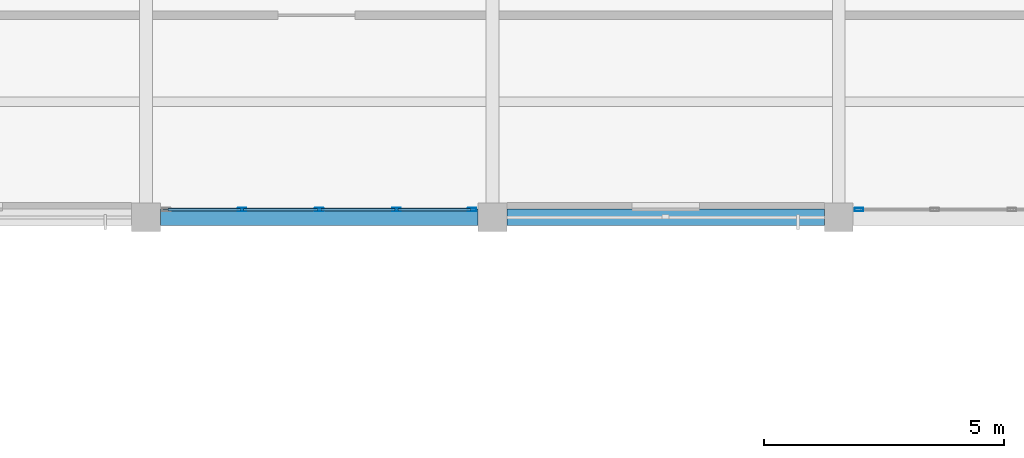
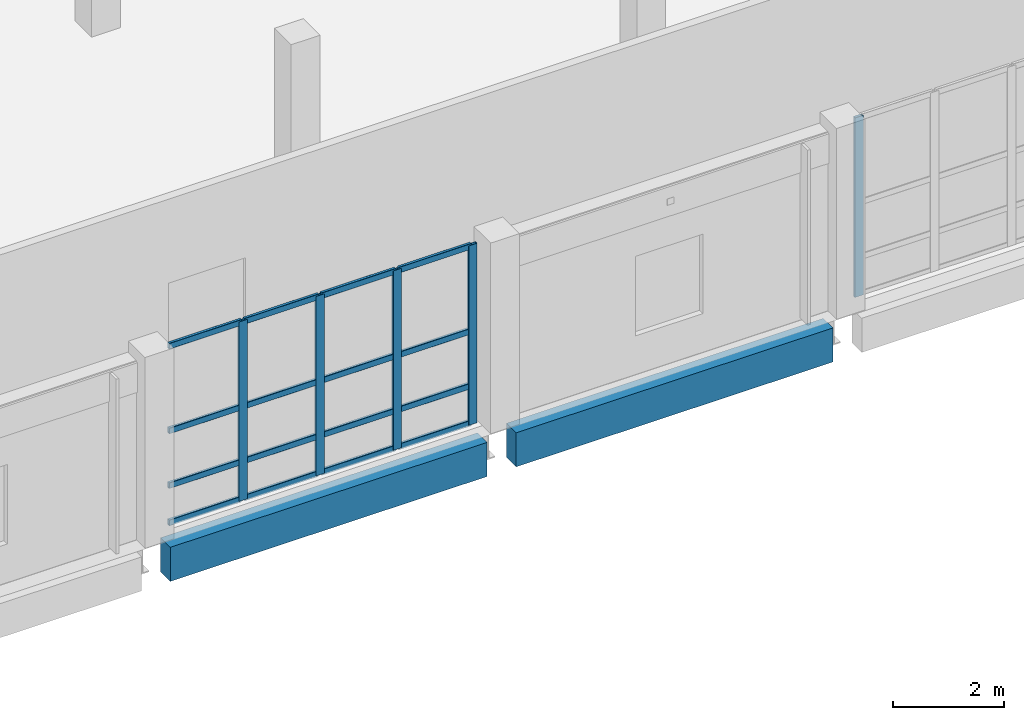
# One storey, part 48 of 94: 21 members, 2 beams, 2 elements without a shape of their own.
"""IFC4 building model written with IfcOpenShell, lengths in metres."""

from ifc_helpers import new_model, si_unit, direction, frame, origin, origin_2d, place, context, subcontext, project, spatial, rectangle, hollow_rectangle, extrude, material, material_profile, profile_set, type_object, element, aggregate, save


model = new_model("IFC4")

# Units and contexts
model_context = context("Model", 3, precision=1e-05, world=origin(), true_north=direction((0.0, 1.0)))
body_context = subcontext(model_context, "Body", "Model", "MODEL_VIEW")
ifc_project = project(units=[si_unit("LENGTHUNIT", "METRE"), si_unit("AREAUNIT", "SQUARE_METRE"), si_unit("VOLUMEUNIT", "CUBIC_METRE"), si_unit("PLANEANGLEUNIT", "RADIAN"), si_unit("MASSUNIT", "GRAM", prefix="KILO")], contexts=[model_context])

# Site, building, storey
site_placement = place(None, origin())
site = spatial("IfcSite", under=ifc_project, at=site_placement, CompositionType="ELEMENT")
building_placement = place(site_placement, origin())
building = spatial("IfcBuilding", under=site, at=building_placement, Name="Kalmorath City Hall", CompositionType="ELEMENT")
storey_placement = place(building_placement, frame((0.0, 0.0, 14.699951171875)))
storey = spatial("IfcBuildingStorey", under=building, at=storey_placement, Name="L03", CompositionType="ELEMENT", Elevation=14.699951171875)

# Curtain wall, member
ifc_material_1 = material(Name="Anodised aluminium and laminated glass", Category="aluminium")
curtain_wall_type = type_object("IfcCurtainWallType", Name="Unitised hurricane curtain wall 6420x3950 M1750", PredefinedType="NOTDEFINED", material=ifc_material_1)
curtain_wall_1_placement = place(storey_placement, origin())
curtain_wall_1 = element("IfcCurtainWall", 1, at=curtain_wall_1_placement, inside=storey, type_object=curtain_wall_type, Name="L03 curtain wall CW-64X40M18 #145", PredefinedType="NOTDEFINED")
ifc_material_2 = material(Name="Anodised aluminium framing", Category="aluminium")
ifc_material_profile_1 = material_profile(ifc_material_2, hollow_rectangle(XDim=0.06494140625, YDim=0.179931640625, WallThickness=0.00390625, InnerFilletRadius=0.00390625, OuterFilletRadius=0.008056640625, at=origin_2d()), Name="ALU-MUL-180X65X4")
ifc_profile_set_1 = profile_set([ifc_material_profile_1], Name="Anodised aluminium framing")
member_type_1 = type_object("IfcMemberType", Name="Curtain-wall courtyard mullion 180x65", PredefinedType="MULLION", material=ifc_profile_set_1)
member_1_placement = place(storey_placement, frame((108.422607421875, 93.760009765625, 0.0), z_axis=(0.0, 0.0, 1.0), x_axis=(0.0, -1.0, 0.0)))
member_1 = element("IfcMember", 2, at=member_1_placement, type_object=member_type_1, Name="CW-64X40M18 mullion 5", PredefinedType="MULLION", context=body_context, shape_type="SweptSolid", body=[
    extrude(hollow_rectangle(XDim=0.06494140625, YDim=0.179931640625, WallThickness=0.00390625, InnerFilletRadius=0.00390625, OuterFilletRadius=0.008056640625, at=origin_2d()), origin(), (0.0, 0.0, 1.0), 3.949951171875),
])
aggregate(curtain_wall_1, [member_1])

# Curtain wall, members
curtain_wall_2_placement = place(storey_placement, origin())
curtain_wall_2 = element("IfcCurtainWall", 3, at=curtain_wall_2_placement, inside=storey, type_object=curtain_wall_type, Name="L03 curtain wall CW-64X40M18 #146", PredefinedType="NOTDEFINED")
member_2_placement = place(storey_placement, frame((100.37744140625, 93.760009765625, 0.0), z_axis=(0.0, 0.0, 1.0), x_axis=(0.0, -1.0, 0.0)))
member_2 = element("IfcMember", 4, at=member_2_placement, type_object=member_type_1, Name="CW-64X40M18 mullion 1", PredefinedType="MULLION", context=body_context, shape_type="SweptSolid", body=[
    extrude(hollow_rectangle(XDim=0.06494140625, YDim=0.179931640625, WallThickness=0.00390625, InnerFilletRadius=0.00390625, OuterFilletRadius=0.008056640625, at=origin_2d()), origin(), (0.0, 0.0, 1.0), 3.949951171875),
])
member_3_placement = place(storey_placement, frame((98.804931640625, 93.760009765625, 0.0), z_axis=(0.0, 0.0, 1.0), x_axis=(0.0, -1.0, 0.0)))
member_3 = element("IfcMember", 5, at=member_3_placement, type_object=member_type_1, Name="CW-64X40M18 mullion 2", PredefinedType="MULLION", context=body_context, shape_type="SweptSolid", body=[
    extrude(hollow_rectangle(XDim=0.06494140625, YDim=0.179931640625, WallThickness=0.00390625, InnerFilletRadius=0.00390625, OuterFilletRadius=0.008056640625, at=origin_2d()), origin(), (0.0, 0.0, 1.0), 3.949951171875),
])
member_4_placement = place(storey_placement, frame((97.199951171875, 93.760009765625, 0.0), z_axis=(0.0, 0.0, 1.0), x_axis=(0.0, -1.0, 0.0)))
member_4 = element("IfcMember", 6, at=member_4_placement, type_object=member_type_1, Name="CW-64X40M18 mullion 3", PredefinedType="MULLION", context=body_context, shape_type="SweptSolid", body=[
    extrude(hollow_rectangle(XDim=0.06494140625, YDim=0.179931640625, WallThickness=0.00390625, InnerFilletRadius=0.00390625, OuterFilletRadius=0.008056640625, at=origin_2d()), origin(), (0.0, 0.0, 1.0), 3.949951171875),
])
member_5_placement = place(storey_placement, frame((95.594970703125, 93.760009765625, 0.0), z_axis=(0.0, 0.0, 1.0), x_axis=(0.0, -1.0, 0.0)))
member_5 = element("IfcMember", 7, at=member_5_placement, type_object=member_type_1, Name="CW-64X40M18 mullion 4", PredefinedType="MULLION", context=body_context, shape_type="SweptSolid", body=[
    extrude(hollow_rectangle(XDim=0.06494140625, YDim=0.179931640625, WallThickness=0.00390625, InnerFilletRadius=0.00390625, OuterFilletRadius=0.008056640625, at=origin_2d()), origin(), (0.0, 0.0, 1.0), 3.949951171875),
])
ifc_material_3 = material(Name="Anodised aluminium framing", Category="aluminium")
ifc_material_profile_2 = material_profile(ifc_material_3, hollow_rectangle(XDim=0.06005859375, YDim=0.1298828125, WallThickness=0.00341796875, InnerFilletRadius=0.00341796875, OuterFilletRadius=0.007080078125, at=origin_2d()), Name="ALU-TRN-130X60X3.5")
ifc_profile_set_2 = profile_set([ifc_material_profile_2], Name="Anodised aluminium framing")
member_type_2 = type_object("IfcMemberType", Name="Curtain-wall courtyard transom 130x60", PredefinedType="USERDEFINED", material=ifc_profile_set_2)
member_6_placement = place(storey_placement, frame((100.344970703125, 93.760009765625, 0.030029296875), z_axis=(-1.0, 0.0, 0.0), x_axis=(0.0, -1.0, 0.0)))
member_6 = element("IfcMember", 8, at=member_6_placement, type_object=member_type_2, Name="CW-64X40M18 transom 1.1", ObjectType="TRANSOM", PredefinedType="USERDEFINED", context=body_context, shape_type="SweptSolid", body=[
    extrude(hollow_rectangle(XDim=0.06005859375, YDim=0.1298828125, WallThickness=0.00341796875, InnerFilletRadius=0.00341796875, OuterFilletRadius=0.007080078125, at=origin_2d()), origin(), (0.0, 0.0, 1.0), 1.507568359375),
])
member_7_placement = place(storey_placement, frame((100.344970703125, 93.760009765625, 0.85009765625), z_axis=(-1.0, 0.0, 0.0), x_axis=(0.0, -1.0, 0.0)))
member_7 = element("IfcMember", 9, at=member_7_placement, type_object=member_type_2, Name="CW-64X40M18 transom 1.2", ObjectType="TRANSOM", PredefinedType="USERDEFINED", context=body_context, shape_type="SweptSolid", body=[
    extrude(hollow_rectangle(XDim=0.06005859375, YDim=0.1298828125, WallThickness=0.00341796875, InnerFilletRadius=0.00341796875, OuterFilletRadius=0.007080078125, at=origin_2d()), origin(), (0.0, 0.0, 1.0), 1.507568359375),
])
member_8_placement = place(storey_placement, frame((100.344970703125, 93.760009765625, 2.053955078125), z_axis=(-1.0, 0.0, 0.0), x_axis=(0.0, -1.0, 0.0)))
member_8 = element("IfcMember", 10, at=member_8_placement, type_object=member_type_2, Name="CW-64X40M18 transom 1.3", ObjectType="TRANSOM", PredefinedType="USERDEFINED", context=body_context, shape_type="SweptSolid", body=[
    extrude(hollow_rectangle(XDim=0.06005859375, YDim=0.1298828125, WallThickness=0.00341796875, InnerFilletRadius=0.00341796875, OuterFilletRadius=0.007080078125, at=origin_2d()), origin(), (0.0, 0.0, 1.0), 1.507568359375),
])
member_9_placement = place(storey_placement, frame((100.344970703125, 93.760009765625, 3.920166015625), z_axis=(-1.0, 0.0, 0.0), x_axis=(0.0, -1.0, 0.0)))
member_9 = element("IfcMember", 11, at=member_9_placement, type_object=member_type_2, Name="CW-64X40M18 transom 1.4", ObjectType="TRANSOM", PredefinedType="USERDEFINED", context=body_context, shape_type="SweptSolid", body=[
    extrude(hollow_rectangle(XDim=0.06005859375, YDim=0.1298828125, WallThickness=0.00341796875, InnerFilletRadius=0.00341796875, OuterFilletRadius=0.007080078125, at=origin_2d()), origin(), (0.0, 0.0, 1.0), 1.507568359375),
])
member_10_placement = place(storey_placement, frame((98.7724609375, 93.760009765625, 0.030029296875), z_axis=(-1.0, 0.0, 0.0), x_axis=(0.0, -1.0, 0.0)))
member_10 = element("IfcMember", 12, at=member_10_placement, type_object=member_type_2, Name="CW-64X40M18 transom 2.1", ObjectType="TRANSOM", PredefinedType="USERDEFINED", context=body_context, shape_type="SweptSolid", body=[
    extrude(hollow_rectangle(XDim=0.06005859375, YDim=0.1298828125, WallThickness=0.00341796875, InnerFilletRadius=0.00341796875, OuterFilletRadius=0.007080078125, at=origin_2d()), origin(), (0.0, 0.0, 1.0), 1.5400390625),
])
member_11_placement = place(storey_placement, frame((98.7724609375, 93.760009765625, 0.85009765625), z_axis=(-1.0, 0.0, 0.0), x_axis=(0.0, -1.0, 0.0)))
member_11 = element("IfcMember", 13, at=member_11_placement, type_object=member_type_2, Name="CW-64X40M18 transom 2.2", ObjectType="TRANSOM", PredefinedType="USERDEFINED", context=body_context, shape_type="SweptSolid", body=[
    extrude(hollow_rectangle(XDim=0.06005859375, YDim=0.1298828125, WallThickness=0.00341796875, InnerFilletRadius=0.00341796875, OuterFilletRadius=0.007080078125, at=origin_2d()), origin(), (0.0, 0.0, 1.0), 1.5400390625),
])
member_12_placement = place(storey_placement, frame((98.7724609375, 93.760009765625, 2.053955078125), z_axis=(-1.0, 0.0, 0.0), x_axis=(0.0, -1.0, 0.0)))
member_12 = element("IfcMember", 14, at=member_12_placement, type_object=member_type_2, Name="CW-64X40M18 transom 2.3", ObjectType="TRANSOM", PredefinedType="USERDEFINED", context=body_context, shape_type="SweptSolid", body=[
    extrude(hollow_rectangle(XDim=0.06005859375, YDim=0.1298828125, WallThickness=0.00341796875, InnerFilletRadius=0.00341796875, OuterFilletRadius=0.007080078125, at=origin_2d()), origin(), (0.0, 0.0, 1.0), 1.5400390625),
])
member_13_placement = place(storey_placement, frame((98.7724609375, 93.760009765625, 3.920166015625), z_axis=(-1.0, 0.0, 0.0), x_axis=(0.0, -1.0, 0.0)))
member_13 = element("IfcMember", 15, at=member_13_placement, type_object=member_type_2, Name="CW-64X40M18 transom 2.4", ObjectType="TRANSOM", PredefinedType="USERDEFINED", context=body_context, shape_type="SweptSolid", body=[
    extrude(hollow_rectangle(XDim=0.06005859375, YDim=0.1298828125, WallThickness=0.00341796875, InnerFilletRadius=0.00341796875, OuterFilletRadius=0.007080078125, at=origin_2d()), origin(), (0.0, 0.0, 1.0), 1.5400390625),
])
member_14_placement = place(storey_placement, frame((97.16748046875, 93.760009765625, 0.030029296875), z_axis=(-1.0, 0.0, 0.0), x_axis=(0.0, -1.0, 0.0)))
member_14 = element("IfcMember", 16, at=member_14_placement, type_object=member_type_2, Name="CW-64X40M18 transom 3.1", ObjectType="TRANSOM", PredefinedType="USERDEFINED", context=body_context, shape_type="SweptSolid", body=[
    extrude(hollow_rectangle(XDim=0.06005859375, YDim=0.1298828125, WallThickness=0.00341796875, InnerFilletRadius=0.00341796875, OuterFilletRadius=0.007080078125, at=origin_2d()), origin(), (0.0, 0.0, 1.0), 1.5400390625),
])
member_15_placement = place(storey_placement, frame((97.16748046875, 93.760009765625, 0.85009765625), z_axis=(-1.0, 0.0, 0.0), x_axis=(0.0, -1.0, 0.0)))
member_15 = element("IfcMember", 17, at=member_15_placement, type_object=member_type_2, Name="CW-64X40M18 transom 3.2", ObjectType="TRANSOM", PredefinedType="USERDEFINED", context=body_context, shape_type="SweptSolid", body=[
    extrude(hollow_rectangle(XDim=0.06005859375, YDim=0.1298828125, WallThickness=0.00341796875, InnerFilletRadius=0.00341796875, OuterFilletRadius=0.007080078125, at=origin_2d()), origin(), (0.0, 0.0, 1.0), 1.5400390625),
])
member_16_placement = place(storey_placement, frame((97.16748046875, 93.760009765625, 2.053955078125), z_axis=(-1.0, 0.0, 0.0), x_axis=(0.0, -1.0, 0.0)))
member_16 = element("IfcMember", 18, at=member_16_placement, type_object=member_type_2, Name="CW-64X40M18 transom 3.3", ObjectType="TRANSOM", PredefinedType="USERDEFINED", context=body_context, shape_type="SweptSolid", body=[
    extrude(hollow_rectangle(XDim=0.06005859375, YDim=0.1298828125, WallThickness=0.00341796875, InnerFilletRadius=0.00341796875, OuterFilletRadius=0.007080078125, at=origin_2d()), origin(), (0.0, 0.0, 1.0), 1.5400390625),
])
member_17_placement = place(storey_placement, frame((97.16748046875, 93.760009765625, 3.920166015625), z_axis=(-1.0, 0.0, 0.0), x_axis=(0.0, -1.0, 0.0)))
member_17 = element("IfcMember", 19, at=member_17_placement, type_object=member_type_2, Name="CW-64X40M18 transom 3.4", ObjectType="TRANSOM", PredefinedType="USERDEFINED", context=body_context, shape_type="SweptSolid", body=[
    extrude(hollow_rectangle(XDim=0.06005859375, YDim=0.1298828125, WallThickness=0.00341796875, InnerFilletRadius=0.00341796875, OuterFilletRadius=0.007080078125, at=origin_2d()), origin(), (0.0, 0.0, 1.0), 1.5400390625),
])
member_18_placement = place(storey_placement, frame((95.5625, 93.760009765625, 0.030029296875), z_axis=(-1.0, 0.0, 0.0), x_axis=(0.0, -1.0, 0.0)))
member_18 = element("IfcMember", 20, at=member_18_placement, type_object=member_type_2, Name="CW-64X40M18 transom 4.1", ObjectType="TRANSOM", PredefinedType="USERDEFINED", context=body_context, shape_type="SweptSolid", body=[
    extrude(hollow_rectangle(XDim=0.06005859375, YDim=0.1298828125, WallThickness=0.00341796875, InnerFilletRadius=0.00341796875, OuterFilletRadius=0.007080078125, at=origin_2d()), origin(), (0.0, 0.0, 1.0), 1.507568359375),
])
member_19_placement = place(storey_placement, frame((95.5625, 93.760009765625, 0.85009765625), z_axis=(-1.0, 0.0, 0.0), x_axis=(0.0, -1.0, 0.0)))
member_19 = element("IfcMember", 21, at=member_19_placement, type_object=member_type_2, Name="CW-64X40M18 transom 4.2", ObjectType="TRANSOM", PredefinedType="USERDEFINED", context=body_context, shape_type="SweptSolid", body=[
    extrude(hollow_rectangle(XDim=0.06005859375, YDim=0.1298828125, WallThickness=0.00341796875, InnerFilletRadius=0.00341796875, OuterFilletRadius=0.007080078125, at=origin_2d()), origin(), (0.0, 0.0, 1.0), 1.507568359375),
])
member_20_placement = place(storey_placement, frame((95.5625, 93.760009765625, 2.053955078125), z_axis=(-1.0, 0.0, 0.0), x_axis=(0.0, -1.0, 0.0)))
member_20 = element("IfcMember", 22, at=member_20_placement, type_object=member_type_2, Name="CW-64X40M18 transom 4.3", ObjectType="TRANSOM", PredefinedType="USERDEFINED", context=body_context, shape_type="SweptSolid", body=[
    extrude(hollow_rectangle(XDim=0.06005859375, YDim=0.1298828125, WallThickness=0.00341796875, InnerFilletRadius=0.00341796875, OuterFilletRadius=0.007080078125, at=origin_2d()), origin(), (0.0, 0.0, 1.0), 1.507568359375),
])
member_21_placement = place(storey_placement, frame((95.5625, 93.760009765625, 3.920166015625), z_axis=(-1.0, 0.0, 0.0), x_axis=(0.0, -1.0, 0.0)))
member_21 = element("IfcMember", 23, at=member_21_placement, type_object=member_type_2, Name="CW-64X40M18 transom 4.4", ObjectType="TRANSOM", PredefinedType="USERDEFINED", context=body_context, shape_type="SweptSolid", body=[
    extrude(hollow_rectangle(XDim=0.06005859375, YDim=0.1298828125, WallThickness=0.00341796875, InnerFilletRadius=0.00341796875, OuterFilletRadius=0.007080078125, at=origin_2d()), origin(), (0.0, 0.0, 1.0), 1.507568359375),
])
aggregate(curtain_wall_2, [member_2, member_3, member_4, member_5, member_6, member_7, member_8, member_9, member_10, member_11, member_12, member_13, member_14, member_15, member_16, member_17, member_18, member_19, member_20, member_21])

# Beams
ifc_material_4 = material(Name="Precast concrete C40/50", Category="concrete")
ifc_material_profile_3 = material_profile(ifc_material_4, rectangle(XDim=0.35009765625, YDim=0.75, at=origin_2d()), Name="PC-SP-350X750")
ifc_profile_set_3 = profile_set([ifc_material_profile_3], Name="Precast concrete C40/50")
beam_type = type_object("IfcBeamType", Name="Precast spandrel lintel 350x750", PredefinedType="LINTEL", material=ifc_profile_set_3)
beam_1_placement = place(storey_placement, frame((93.89990234375, 93.60009765625, -0.638916015625), z_axis=(1.0, 0.0, 0.0), x_axis=(0.0, 1.0, 0.0)))
element("IfcBeam", 24, at=beam_1_placement, inside=storey, type_object=beam_type, Name="L03 girder PSB1 X14-15/14", PredefinedType="LINTEL", context=body_context, shape_type="SweptSolid", body=[
    extrude(rectangle(XDim=0.35009765625, YDim=0.75, at=origin_2d()), origin(), (0.0, 0.0, 1.0), 6.60009765625),
])
beam_2_placement = place(storey_placement, frame((101.10009765625, 93.60009765625, -0.638916015625), z_axis=(1.0, 0.0, 0.0), x_axis=(0.0, 1.0, 0.0)))
element("IfcBeam", 25, at=beam_2_placement, inside=storey, type_object=beam_type, Name="L03 girder PSB1 X15-16/14", PredefinedType="LINTEL", context=body_context, shape_type="SweptSolid", body=[
    extrude(rectangle(XDim=0.35009765625, YDim=0.75, at=origin_2d()), origin(), (0.0, 0.0, 1.0), 6.599853515625),
])

save(model, "model.ifc")
